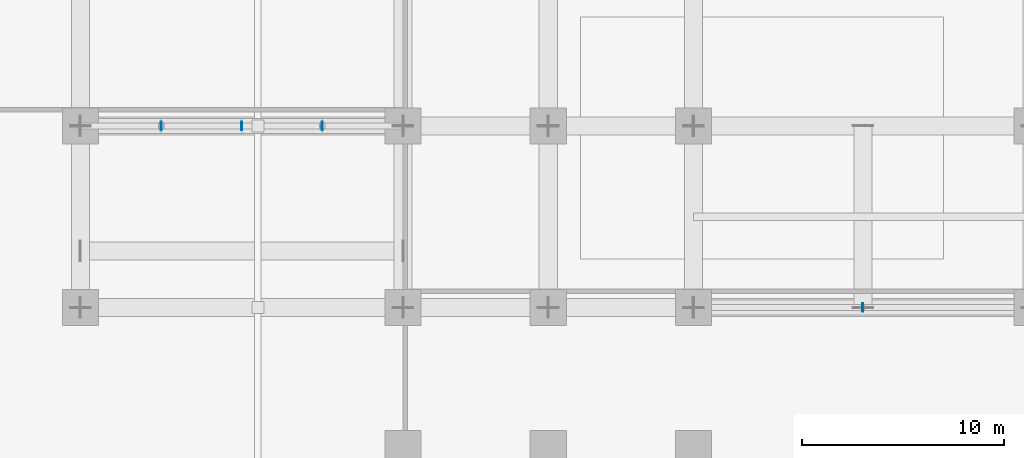
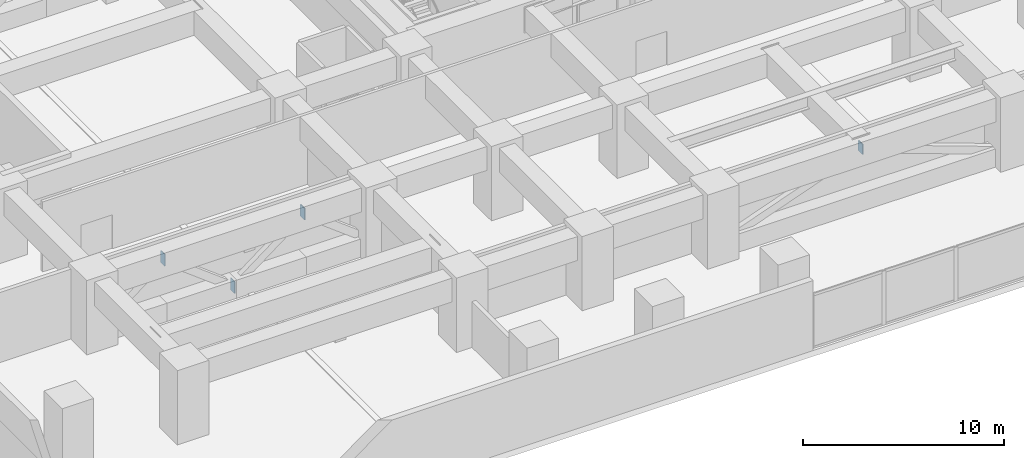
# One storey, part 13 of 25: 8 plates.
"""IFC4 building model written with IfcOpenShell, lengths in metres."""

from ifc_helpers import new_model, si_unit, direction, frame, origin, origin_2d, place, context, subcontext, project, spatial, rectangle, extrude, material, layer, layer_set, type_object, element, save


model = new_model("IFC4")

# Units and contexts
model_context = context("Model", 3, precision=1e-05, world=origin(), true_north=direction((0.0, 1.0)))
body_context = subcontext(model_context, "Body", "Model", "MODEL_VIEW")
ifc_project = project(units=[si_unit("LENGTHUNIT", "METRE"), si_unit("AREAUNIT", "SQUARE_METRE"), si_unit("VOLUMEUNIT", "CUBIC_METRE"), si_unit("PLANEANGLEUNIT", "RADIAN"), si_unit("MASSUNIT", "GRAM", prefix="KILO")], contexts=[model_context])

# Site, building, storey
site_placement = place(None, origin())
site = spatial("IfcSite", under=ifc_project, at=site_placement, CompositionType="ELEMENT")
building_placement = place(site_placement, origin())
building = spatial("IfcBuilding", under=site, at=building_placement, Name="Kiyonajd Concourse Tower", CompositionType="ELEMENT")
storey_placement = place(building_placement, frame((0.0, 0.0, 17.10009765625)))
storey = spatial("IfcBuildingStorey", under=building, at=storey_placement, Name="L05", CompositionType="ELEMENT", Elevation=17.10009765625)

# Plates
ifc_material = material(Name="Steel ASTM A572 Grade 50", Category="steel")
ifc_layer = layer(ifc_material, 0.028076171875)
ifc_layer_set = layer_set([ifc_layer], Name="Steel ASTM A572 Grade 50")
plate_type = type_object("IfcPlateType", Name="PL-CAP-450", PredefinedType="USERDEFINED", material=ifc_layer_set)
for number, where, z_axis, x_axis, name in (
    (1, (13.208740234375, 18.60009765625, 3.244140625), (0.0, 0.0, 1.0), (1.0, 0.0, 0.0), "L05 Truss Web Top Seal Plate 01"),
    (2, (13.191162109375, 18.60009765625, 3.244140625), (0.0, 0.0, 1.0), (-1.0, 0.0, 0.0), "L05 Truss Web End Seal Plate 02"),
    (3, (17.208740234375, 18.60009765625, 0.190673828125), (0.0, 0.0, 1.0), (1.0, 0.0, 0.0), "L05 Truss Web Top Seal Plate 02"),
    (4, (17.191162109375, 18.60009765625, 0.190673828125), (0.0, 0.0, 1.0), (-1.0, 0.0, 0.0), "L05 Truss Web End Seal Plate 03"),
    (5, (21.208740234375, 18.60009765625, 3.244140625), (0.0, 0.0, 1.0), (1.0, 0.0, 0.0), "L05 Truss Web Top Seal Plate 03"),
    (6, (21.191162109375, 18.60009765625, 3.244140625), (0.0, 0.0, 1.0), (-1.0, 0.0, 0.0), "L05 Truss Web End Seal Plate 04"),
):
    element("IfcPlate", number, at=place(storey_placement, frame(where, z_axis=z_axis, x_axis=x_axis)), inside=storey, type_object=plate_type, Name=name, ObjectType="CAP PLATE", PredefinedType="USERDEFINED", context=body_context, shape_type="SweptSolid", body=[
        extrude(rectangle(XDim=0.035888671875, YDim=0.419921875, at=origin_2d()), origin(), (0.0, 0.0, 1.0), 0.705078125),
    ])
for number, where, z_axis, x_axis, name in (
    (7, (48.01025390625, 9.60009765625, 3.2841796875), (0.0, 0.0, 1.0), (1.0, 0.0, 0.0), "L05 Truss Web Top Seal Plate 13"),
    (8, (47.98974609375, 9.60009765625, 3.2841796875), (0.0, 0.0, 1.0), (-1.0, 0.0, 0.0), "L05 Truss Web Top Seal Plate 14"),
):
    element("IfcPlate", number, at=place(storey_placement, frame(where, z_axis=z_axis, x_axis=x_axis)), inside=storey, type_object=plate_type, Name=name, ObjectType="CAP PLATE", PredefinedType="USERDEFINED", context=body_context, shape_type="SweptSolid", body=[
        extrude(rectangle(XDim=0.035888671875, YDim=0.419921875, at=origin_2d()), origin(), (0.0, 0.0, 1.0), 0.618896484375),
    ])

save(model, "model.ifc")
